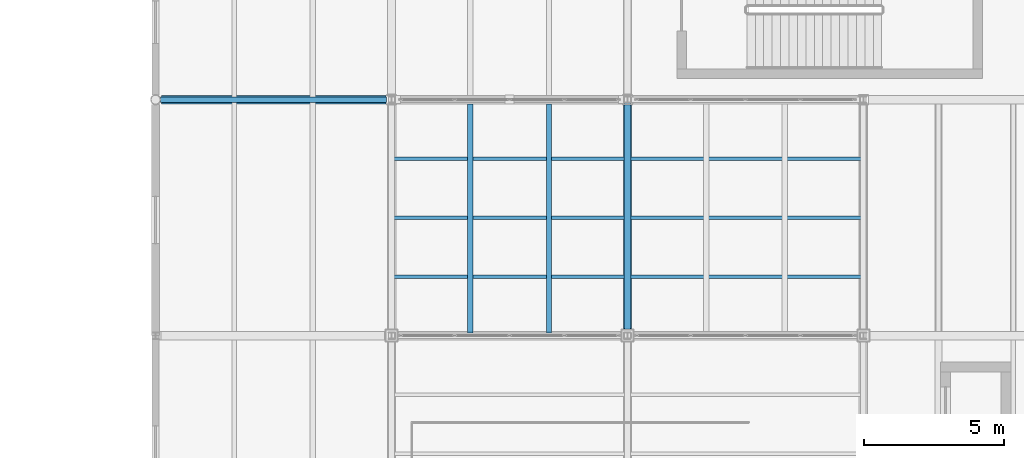
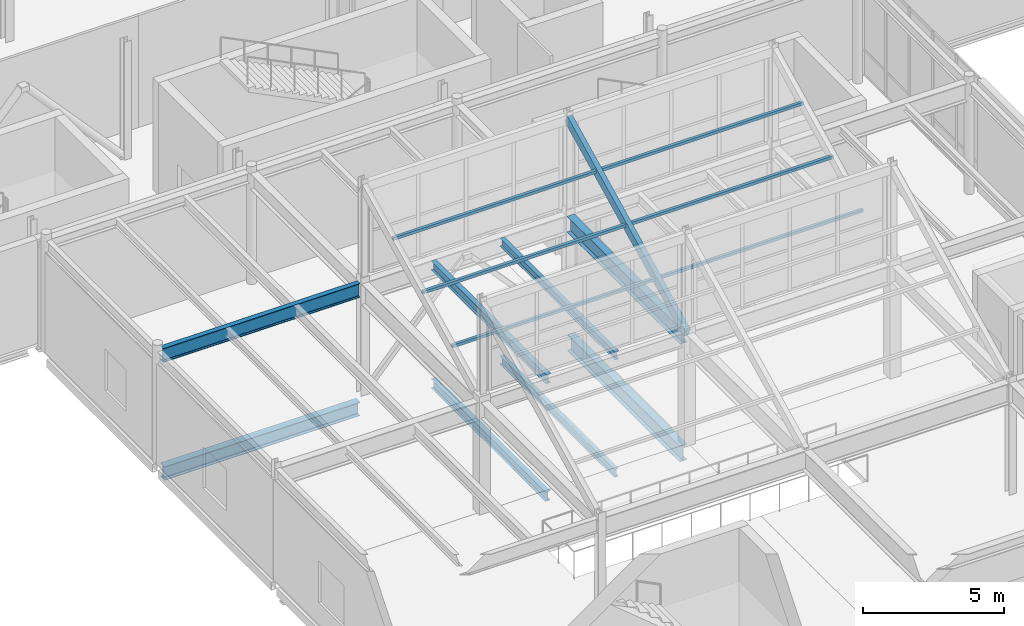
# One storey, part 31 of 91: 9 beams, 3 members.
"""IFC4 building model written with IfcOpenShell, lengths in metres."""

from ifc_helpers import new_model, si_unit, direction, frame, origin, origin_2d, place, context, subcontext, project, spatial, hollow_rectangle, i_section, extrude, material, material_profile, profile_set, type_object, element, save


model = new_model("IFC4")

# Units and contexts
model_context = context("Model", 3, precision=1e-05, world=origin(), true_north=direction((0.0, 1.0)))
body_context = subcontext(model_context, "Body", "Model", "MODEL_VIEW")
ifc_project = project(units=[si_unit("LENGTHUNIT", "METRE"), si_unit("AREAUNIT", "SQUARE_METRE"), si_unit("VOLUMEUNIT", "CUBIC_METRE"), si_unit("PLANEANGLEUNIT", "RADIAN"), si_unit("MASSUNIT", "GRAM", prefix="KILO"), si_unit("THERMODYNAMICTEMPERATUREUNIT", "KELVIN")], contexts=[model_context])

# Site, building, storey
site_placement = place(None, origin())
site = spatial("IfcSite", under=ifc_project, at=site_placement, CompositionType="ELEMENT")
building_placement = place(site_placement, origin())
building = spatial("IfcBuilding", under=site, at=building_placement, Name="Lustrewick Department Store", CompositionType="ELEMENT")
storey_placement = place(building_placement, frame((0.0, 0.0, 21.60009765625)))
storey = spatial("IfcBuildingStorey", under=building, at=storey_placement, Name="L05", CompositionType="ELEMENT", Elevation=21.60009765625)

# Beams
ifc_material_1 = material(Name="Structural steel Q355B", Category="steel")
ifc_material_profile_1 = material_profile(ifc_material_1, i_section(OverallWidth=0.199951171875, OverallDepth=0.39990234375, WebThickness=0.008056640625, FlangeThickness=0.012939453125, FilletRadius=0.013916015625, at=origin_2d()), Name="HN 400x200x8x13")
ifc_profile_set_1 = profile_set([ifc_material_profile_1], Name="Structural steel Q355B")
beam_type_1 = type_object("IfcBeamType", Name="B05", PredefinedType="JOIST", material=ifc_profile_set_1)
beam_1_placement = place(storey_placement, frame((128.800048828125, 33.75, -0.455078125), z_axis=(0.0, 1.0, 0.0), x_axis=(-1.0, 0.0, 0.0)))
element("IfcBeam", 1, at=beam_1_placement, inside=storey, type_object=beam_type_1, Name="L05 V3 Secondary Joist B05", PredefinedType="JOIST", context=body_context, shape_type="SweptSolid", body=[
    extrude(i_section(OverallWidth=0.199951171875, OverallDepth=0.39990234375, WebThickness=0.008056640625, FlangeThickness=0.012939453125, FilletRadius=0.013916015625, at=origin_2d()), origin(), (0.0, 0.0, 1.0), 8.1005859375),
])
ifc_material_profile_2 = material_profile(ifc_material_1, i_section(OverallWidth=0.198974609375, OverallDepth=0.39599609375, WebThickness=0.007080078125, FlangeThickness=0.010986328125, FilletRadius=0.013916015625, at=origin_2d()), Name="HN 396x199x7x11")
ifc_profile_set_2 = profile_set([ifc_material_profile_2], Name="Structural steel Q355B")
beam_type_2 = type_object("IfcBeamType", Name="B06", PredefinedType="JOIST", material=ifc_profile_set_2)
beam_2_placement = place(storey_placement, frame((128.800048828125, 33.700439453125, 4.64697265625), z_axis=(0.0, 1.0, 0.0), x_axis=(-1.0, 0.0, 0.0)))
element("IfcBeam", 2, at=beam_2_placement, inside=storey, type_object=beam_type_2, Name="L05 V3 Secondary Joist B06", PredefinedType="JOIST", context=body_context, shape_type="SweptSolid", body=[
    extrude(i_section(OverallWidth=0.198974609375, OverallDepth=0.39599609375, WebThickness=0.007080078125, FlangeThickness=0.010986328125, FilletRadius=0.013916015625, at=origin_2d()), origin(), (0.0, 0.0, 1.0), 8.148681640625),
])
ifc_material_profile_3 = material_profile(ifc_material_1, i_section(OverallWidth=0.175048828125, OverallDepth=0.35009765625, WebThickness=0.007080078125, FlangeThickness=0.010986328125, FilletRadius=0.012939453125, at=origin_2d()), Name="HN 350x175x7x11")
ifc_profile_set_3 = profile_set([ifc_material_profile_3], Name="Structural steel Q355B")
beam_type_3 = type_object("IfcBeamType", Name="B09", PredefinedType="JOIST", material=ifc_profile_set_3)
beam_3_placement = place(storey_placement, frame((131.60009765625, 33.75, -0.43017578125), z_axis=(0.0, 1.0, 0.0), x_axis=(-1.0, 0.0, 0.0)))
element("IfcBeam", 3, at=beam_3_placement, inside=storey, type_object=beam_type_3, Name="L05 V3 Secondary Joist B09", PredefinedType="JOIST", context=body_context, shape_type="SweptSolid", body=[
    extrude(i_section(OverallWidth=0.175048828125, OverallDepth=0.35009765625, WebThickness=0.007080078125, FlangeThickness=0.010986328125, FilletRadius=0.012939453125, at=origin_2d()), origin(), (0.0, 0.0, 1.0), 8.1005859375),
])
ifc_material_profile_4 = material_profile(ifc_material_1, i_section(OverallWidth=0.174072265625, OverallDepth=0.345947265625, WebThickness=0.006103515625, FlangeThickness=0.009033203125, FilletRadius=0.012939453125, at=origin_2d()), Name="HN 346x174x6x9")
ifc_profile_set_4 = profile_set([ifc_material_profile_4], Name="Structural steel Q355B")
beam_type_4 = type_object("IfcBeamType", Name="B10", PredefinedType="JOIST", material=ifc_profile_set_4)
beam_4_placement = place(storey_placement, frame((131.60009765625, 33.700439453125, 4.671875), z_axis=(0.0, 1.0, 0.0), x_axis=(-1.0, 0.0, 0.0)))
element("IfcBeam", 4, at=beam_4_placement, inside=storey, type_object=beam_type_4, Name="L05 V3 Secondary Joist B10", PredefinedType="JOIST", context=body_context, shape_type="SweptSolid", body=[
    extrude(i_section(OverallWidth=0.174072265625, OverallDepth=0.345947265625, WebThickness=0.006103515625, FlangeThickness=0.009033203125, FilletRadius=0.012939453125, at=origin_2d()), origin(), (0.0, 0.0, 1.0), 8.148681640625),
])

# Members
ifc_material_profile_5 = material_profile(ifc_material_1, hollow_rectangle(XDim=0.1201171875, YDim=0.1201171875, WallThickness=0.006103515625, at=origin_2d()), Name="SHS 120x120x6")
ifc_profile_set_5 = profile_set([ifc_material_profile_5], Name="Structural steel Q355B")
member_type = type_object("IfcMemberType", Name="DR06", PredefinedType="PURLIN", material=ifc_profile_set_5)
for number, where, z_axis, x_axis, name in (
    (5, (126.0, 35.699951171875, 5.83984375), (1.0, 0.0, 0.0), (0.0, 1.0, 0.0), "V3 Lantern Purlin 2.1"),
    (6, (126.0, 37.800048828125, 6.889892578125), (1.0, 0.0, 0.0), (0.0, 1.0, 0.0), "V3 Lantern Purlin 2.2"),
    (7, (126.0, 39.89990234375, 7.93994140625), (1.0, 0.0, 0.0), (0.0, 1.0, 0.0), "V3 Lantern Purlin 2.3"),
):
    element("IfcMember", number, at=place(storey_placement, frame(where, z_axis=z_axis, x_axis=x_axis)), inside=storey, type_object=member_type, Name=name, PredefinedType="PURLIN", context=body_context, shape_type="SweptSolid", body=[
        extrude(hollow_rectangle(XDim=0.1201171875, YDim=0.1201171875, WallThickness=0.006103515625, at=origin_2d()), origin(), (0.0, 0.0, 1.0), 16.800048828125),
    ])

# Beams
ifc_material_profile_6 = material_profile(ifc_material_1, i_section(OverallWidth=0.300048828125, OverallDepth=0.699951171875, WebThickness=0.012939453125, FlangeThickness=0.02392578125, FilletRadius=0.02001953125, at=origin_2d()), Name="HN 700x300x13x24")
ifc_profile_set_6 = profile_set([ifc_material_profile_6], Name="Structural steel Q355B")
beam_type_5 = type_object("IfcBeamType", Name="G08", PredefinedType="BEAM", material=ifc_profile_set_6)
beam_5_placement = place(storey_placement, frame((134.39990234375, 33.85009765625, -0.60498046875), z_axis=(0.0, 1.0, 0.0), x_axis=(-1.0, 0.0, 0.0)))
element("IfcBeam", 8, at=beam_5_placement, inside=storey, type_object=beam_type_5, Name="L05 V3 Girder G08", PredefinedType="BEAM", context=body_context, shape_type="SweptSolid", body=[
    extrude(i_section(OverallWidth=0.300048828125, OverallDepth=0.699951171875, WebThickness=0.012939453125, FlangeThickness=0.02392578125, FilletRadius=0.02001953125, at=origin_2d()), origin(), (0.0, 0.0, 1.0), 7.955810546875),
])
ifc_material_profile_7 = material_profile(ifc_material_1, i_section(OverallWidth=0.300048828125, OverallDepth=0.69189453125, WebThickness=0.012939453125, FlangeThickness=0.02001953125, FilletRadius=0.02001953125, at=origin_2d()), Name="HN 692x300x13x20")
ifc_profile_set_7 = profile_set([ifc_material_profile_7], Name="Structural steel Q355B")
beam_type_6 = type_object("IfcBeamType", Name="G09", PredefinedType="BEAM", material=ifc_profile_set_7)
beam_6_placement = place(storey_placement, frame((134.39990234375, 33.824951171875, 4.4990234375), z_axis=(0.0, 1.0, 0.0), x_axis=(-1.0, 0.0, 0.0)))
element("IfcBeam", 9, at=beam_6_placement, inside=storey, type_object=beam_type_6, Name="L05 V3 Girder G09", PredefinedType="BEAM", context=body_context, shape_type="SweptSolid", body=[
    extrude(i_section(OverallWidth=0.300048828125, OverallDepth=0.69189453125, WebThickness=0.012939453125, FlangeThickness=0.02001953125, FilletRadius=0.02001953125, at=origin_2d()), origin(), (0.0, 0.0, 1.0), 8.0029296875),
])
ifc_material_profile_8 = material_profile(ifc_material_1, i_section(OverallWidth=0.300048828125, OverallDepth=0.58203125, WebThickness=0.011962890625, FlangeThickness=0.01708984375, FilletRadius=0.02392578125, at=origin_2d()), Name="HM 582x300x12x17")
ifc_profile_set_8 = profile_set([ifc_material_profile_8], Name="Structural steel Q355B")
beam_type_7 = type_object("IfcBeamType", Name="G12", PredefinedType="BEAM", material=ifc_profile_set_8)
beam_7_placement = place(storey_placement, frame((117.802978515625, 42.0, -0.546142578125), z_axis=(1.0, 0.0, 0.0), x_axis=(0.0, 1.0, 0.0)))
element("IfcBeam", 10, at=beam_7_placement, inside=storey, type_object=beam_type_7, Name="L05 V3 Girder G12", PredefinedType="BEAM", context=body_context, shape_type="SweptSolid", body=[
    extrude(i_section(OverallWidth=0.300048828125, OverallDepth=0.58203125, WebThickness=0.011962890625, FlangeThickness=0.01708984375, FilletRadius=0.02392578125, at=origin_2d()), origin(), (0.0, 0.0, 1.0), 7.99609375),
])
ifc_material_profile_9 = material_profile(ifc_material_1, i_section(OverallWidth=0.200927734375, OverallDepth=0.60595703125, WebThickness=0.011962890625, FlangeThickness=0.02001953125, FilletRadius=0.01806640625, at=origin_2d()), Name="HN 606x201x12x20")
ifc_profile_set_9 = profile_set([ifc_material_profile_9], Name="Structural steel Q355B")
beam_type_8 = type_object("IfcBeamType", Name="G13", PredefinedType="BEAM", material=ifc_profile_set_9)
beam_8_placement = place(storey_placement, frame((117.778076171875, 42.0, 4.5419921875), z_axis=(1.0, 0.0, 0.0), x_axis=(0.0, 1.0, 0.0)))
element("IfcBeam", 11, at=beam_8_placement, inside=storey, type_object=beam_type_8, Name="L05 V3 Girder G13", PredefinedType="BEAM", context=body_context, shape_type="SweptSolid", body=[
    extrude(i_section(OverallWidth=0.200927734375, OverallDepth=0.60595703125, WebThickness=0.011962890625, FlangeThickness=0.02001953125, FilletRadius=0.01806640625, at=origin_2d()), origin(), (0.0, 0.0, 1.0), 8.0478515625),
])
ifc_material_2 = material(Name="Structural steel Q355C", Category="steel")
ifc_material_profile_10 = material_profile(ifc_material_2, hollow_rectangle(XDim=0.199951171875, YDim=0.39990234375, WallThickness=0.011962890625, at=origin_2d()), Name="RHS 400x200x12")
ifc_profile_set_10 = profile_set([ifc_material_profile_10], Name="Structural steel Q355C")
beam_type_9 = type_object("IfcBeamType", Name="G19", PredefinedType="BEAM", material=ifc_profile_set_10)
beam_9_placement = place(storey_placement, frame((134.39990234375, 33.60009765625, 4.739990234375), z_axis=(0.0, 0.894427191, 0.4472135955), x_axis=(-1.0, 0.0, 0.0)))
element("IfcBeam", 12, at=beam_9_placement, inside=storey, type_object=beam_type_9, Name="V3 Lantern Rafter 2.134", PredefinedType="BEAM", context=body_context, shape_type="SweptSolid", body=[
    extrude(hollow_rectangle(XDim=0.199951171875, YDim=0.39990234375, WallThickness=0.011962890625, at=origin_2d()), origin(), (0.0, 0.0, 1.0), 9.391357421875),
])

save(model, "model.ifc")
